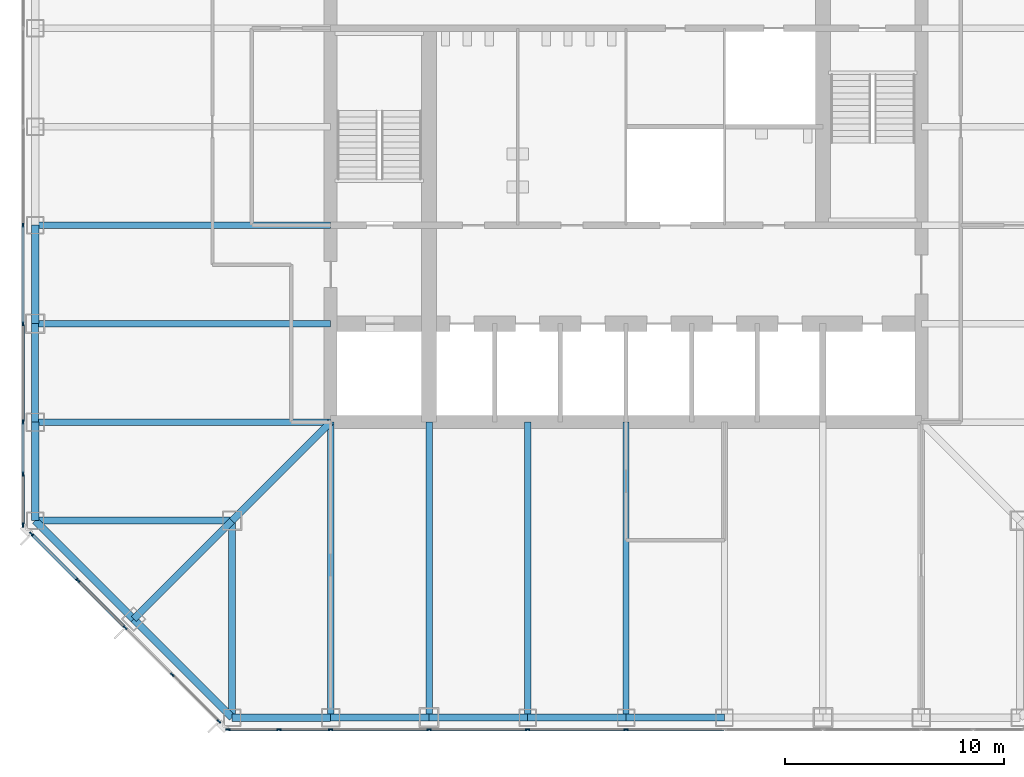
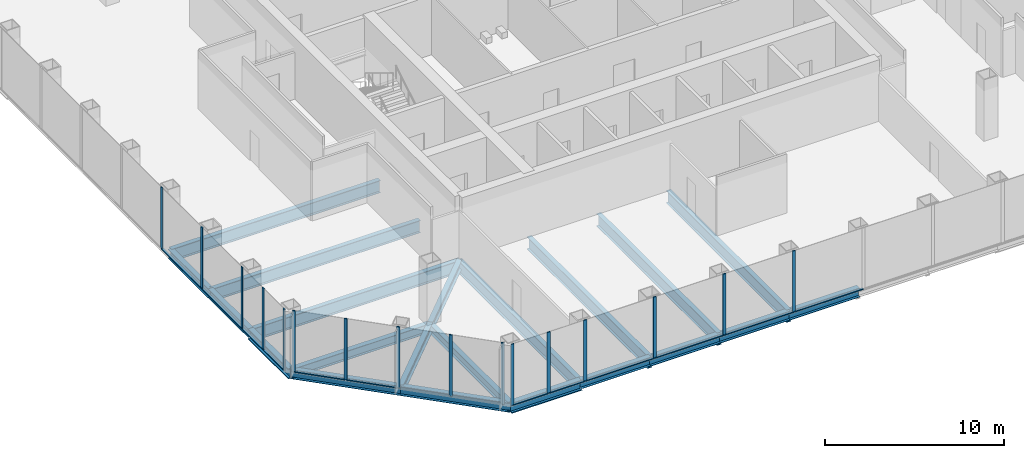
# One storey, part 2 of 12: 28 members, 21 beams, 3 elements without a shape of their own.
"""IFC4 building model written with IfcOpenShell, lengths in metres."""

from ifc_helpers import new_model, si_unit, direction, frame, origin, origin_2d, place, context, subcontext, project, spatial, rectangle, i_section, extrude, material, material_profile, profile_set, type_object, element, aggregate, save


model = new_model("IFC4")

# Units and contexts
model_context = context("Model", 3, precision=1e-05, world=origin(), true_north=direction((0.0, 1.0)))
body_context = subcontext(model_context, "Body", "Model", "MODEL_VIEW")
ifc_project = project(units=[si_unit("LENGTHUNIT", "METRE"), si_unit("AREAUNIT", "SQUARE_METRE"), si_unit("VOLUMEUNIT", "CUBIC_METRE"), si_unit("PLANEANGLEUNIT", "RADIAN"), si_unit("MASSUNIT", "GRAM", prefix="KILO")], contexts=[model_context])

# Site, building, storey
site_placement = place(None, origin())
site = spatial("IfcSite", under=ifc_project, at=site_placement, CompositionType="ELEMENT")
building_placement = place(site_placement, origin())
building = spatial("IfcBuilding", under=site, at=building_placement, Name="Corais Broadcast Tower", CompositionType="ELEMENT")
storey_placement = place(building_placement, frame((0.0, 0.0, 75.199951171875)))
storey = spatial("IfcBuildingStorey", under=building, at=storey_placement, Name="L16", CompositionType="ELEMENT", Elevation=75.199951171875)

# Beams
ifc_material_1 = material(Name="Steel ASTM A572 Grade 50", Category="steel")
ifc_material_profile_1 = material_profile(ifc_material_1, i_section(OverallWidth=0.323974609375, OverallDepth=0.611083984375, WebThickness=0.0126953125, FlangeThickness=0.01904296875, at=origin_2d()), Name="W610x155")
ifc_profile_set_1 = profile_set([ifc_material_profile_1], Name="Steel ASTM A572 Grade 50")
beam_type_1 = type_object("IfcBeamType", Name="Chamfer tie W610x155", PredefinedType="BEAM", material=ifc_profile_set_1)
beam_1_placement = place(storey_placement, frame((4.5, 4.5, -0.46533203125), z_axis=(0.707106781187, 0.707106781187, 0.0), x_axis=(-0.707106781187, 0.707106781187, 0.0)))
element("IfcBeam", 1, at=beam_1_placement, inside=storey, type_object=beam_type_1, Name="B5 B/4 to C/5", PredefinedType="BEAM", context=body_context, shape_type="SweptSolid", body=[
    extrude(i_section(OverallWidth=0.323974609375, OverallDepth=0.611083984375, WebThickness=0.0126953125, FlangeThickness=0.01904296875, at=origin_2d()), origin(), (0.0, 0.0, 1.0), 6.364013671875),
])
ifc_material_2 = material(Name="Steel ASTM A572 Grade 50", Category="steel")
ifc_material_profile_2 = material_profile(ifc_material_2, i_section(OverallWidth=0.323974609375, OverallDepth=0.611083984375, WebThickness=0.0126953125, FlangeThickness=0.01904296875, at=origin_2d()), Name="W610x155")
ifc_profile_set_2 = profile_set([ifc_material_profile_2], Name="Steel ASTM A572 Grade 50")
beam_type_2 = type_object("IfcBeamType", Name="Corner diagonal W610x155", PredefinedType="BEAM", material=ifc_profile_set_2)
beam_2_placement = place(storey_placement, frame((9.0, 9.0, -0.46533203125), z_axis=(0.707106781187, 0.707106781187, 0.0), x_axis=(-0.707106781187, 0.707106781187, 0.0)))
element("IfcBeam", 2, at=beam_2_placement, inside=storey, type_object=beam_type_2, Name="B6 C/5 to D/6", PredefinedType="BEAM", context=body_context, shape_type="SweptSolid", body=[
    extrude(i_section(OverallWidth=0.323974609375, OverallDepth=0.611083984375, WebThickness=0.0126953125, FlangeThickness=0.01904296875, at=origin_2d()), origin(), (0.0, 0.0, 1.0), 6.364013671875),
])
ifc_material_3 = material(Name="Steel ASTM A572 Grade 50", Category="steel")
ifc_material_profile_3 = material_profile(ifc_material_3, i_section(OverallWidth=0.323974609375, OverallDepth=0.611083984375, WebThickness=0.0126953125, FlangeThickness=0.01904296875, at=origin_2d()), Name="W610x155")
ifc_profile_set_3 = profile_set([ifc_material_profile_3], Name="Steel ASTM A572 Grade 50")
beam_type_3 = type_object("IfcBeamType", Name="Corner girder W610x155", PredefinedType="BEAM", material=ifc_profile_set_3)
for number, where, z_axis, x_axis, name in (
    (3, (0.0, 9.0, -0.46533203125), (1.0, 0.0, 0.0), (0.0, 1.0, 0.0), "B4 C/3 to C/5"),
    (4, (9.0, 0.0, -0.46533203125), (0.0, 1.0, 0.0), (-1.0, 0.0, 0.0), "B4 A/5 to C/5"),
):
    element("IfcBeam", number, at=place(storey_placement, frame(where, z_axis=z_axis, x_axis=x_axis)), inside=storey, type_object=beam_type_3, Name=name, PredefinedType="BEAM", context=body_context, shape_type="SweptSolid", body=[
        extrude(i_section(OverallWidth=0.323974609375, OverallDepth=0.611083984375, WebThickness=0.0126953125, FlangeThickness=0.01904296875, at=origin_2d()), origin(), (0.0, 0.0, 1.0), 9.0),
    ])
ifc_material_4 = material(Name="Steel ASTM A913 Grade 65", Category="steel")
ifc_material_profile_4 = material_profile(ifc_material_4, i_section(OverallWidth=0.347900390625, OverallDepth=0.7109375, WebThickness=0.03857421875, FlangeThickness=0.069091796875, at=origin_2d()), Name="W610x551")
ifc_profile_set_4 = profile_set([ifc_material_profile_4], Name="Steel ASTM A913 Grade 65")
beam_type_4 = type_object("IfcBeamType", Name="Corner spandrel W610x551", PredefinedType="BEAM", material=ifc_profile_set_4)
for number, where, z_axis, x_axis, name in (
    (5, (0.0, 13.5, -0.515380859375), (0.0, -1.0, 0.0), (1.0, 0.0, 0.0), "SB11 D/3 to C/3"),
    (6, (9.0, 0.0, -0.515380859375), (1.0, 0.0, 0.0), (0.0, 1.0, 0.0), "SB11 A/5 to A/6"),
):
    element("IfcBeam", number, at=place(storey_placement, frame(where, z_axis=z_axis, x_axis=x_axis)), inside=storey, type_object=beam_type_4, Name=name, PredefinedType="BEAM", context=body_context, shape_type="SweptSolid", body=[
        extrude(i_section(OverallWidth=0.347900390625, OverallDepth=0.7109375, WebThickness=0.03857421875, FlangeThickness=0.069091796875, at=origin_2d()), origin(), (0.0, 0.0, 1.0), 4.5),
    ])
ifc_material_5 = material(Name="Steel ASTM A572 Grade 50", Category="steel")
ifc_material_profile_5 = material_profile(ifc_material_5, i_section(OverallWidth=0.2939453125, OverallDepth=0.85107421875, WebThickness=0.01611328125, FlangeThickness=0.02685546875, at=origin_2d()), Name="W840x226")
ifc_profile_set_5 = profile_set([ifc_material_profile_5], Name="Steel ASTM A572 Grade 50")
beam_type_5 = type_object("IfcBeamType", Name="Floor beam W840x226", PredefinedType="BEAM", material=ifc_profile_set_5)
for number, where, z_axis, x_axis, name in (
    (7, (0.0, 13.5, -0.58544921875), (1.0, 0.0, 0.0), (0.0, 1.0, 0.0), "B1 D/3 to D/6"),
    (8, (0.0, 18.0, -0.58544921875), (1.0, 0.0, 0.0), (0.0, 1.0, 0.0), "B1 E/3 to E/6"),
    (9, (0.0, 22.5, -0.58544921875), (1.0, 0.0, 0.0), (0.0, 1.0, 0.0), "B1 F/3 to F/6"),
    (10, (13.5, 0.0, -0.58544921875), (0.0, 1.0, 0.0), (-1.0, 0.0, 0.0), "B1 A/6 to D/6"),
    (11, (18.0, 0.0, -0.58544921875), (0.0, 1.0, 0.0), (-1.0, 0.0, 0.0), "B1 A/7 to D/7"),
    (12, (22.5, 0.0, -0.58544921875), (0.0, 1.0, 0.0), (-1.0, 0.0, 0.0), "B1 A/8 to D/8"),
    (13, (27.0, 0.0, -0.58544921875), (0.0, 1.0, 0.0), (-1.0, 0.0, 0.0), "B1 A/9 to D/9"),
):
    element("IfcBeam", number, at=place(storey_placement, frame(where, z_axis=z_axis, x_axis=x_axis)), inside=storey, type_object=beam_type_5, Name=name, PredefinedType="BEAM", context=body_context, shape_type="SweptSolid", body=[
        extrude(i_section(OverallWidth=0.2939453125, OverallDepth=0.85107421875, WebThickness=0.01611328125, FlangeThickness=0.02685546875, at=origin_2d()), origin(), (0.0, 0.0, 1.0), 13.5),
    ])

# Curtain wall, members
ifc_material_6 = material(Name="Aluminium and glass", Category="aluminium")
curtain_wall_type = type_object("IfcCurtainWallType", Name="Unitised fritted curtain wall CW1", PredefinedType="NOTDEFINED", material=ifc_material_6)
curtain_wall_1_placement = place(storey_placement, origin())
curtain_wall_1 = element("IfcCurtainWall", 14, at=curtain_wall_1_placement, inside=storey, type_object=curtain_wall_type, Name="CW1 curtain wall L16 1", PredefinedType="NOTDEFINED")
ifc_material_7 = material(Name="Aluminium 6063-T6", Category="aluminium")
ifc_material_profile_6 = material_profile(ifc_material_7, rectangle(XDim=0.06494140625, YDim=0.199951171875, at=origin_2d()), Name="Mullion CW1 65x200")
ifc_profile_set_6 = profile_set([ifc_material_profile_6], Name="Aluminium 6063-T6")
member_type_1 = type_object("IfcMemberType", Name="Mullion CW1 65x200", PredefinedType="MULLION", material=ifc_profile_set_6)
member_1_placement = place(storey_placement, frame((8.3955078125, -0.17333984375, 0.0), z_axis=(0.0, 0.0, 1.0), x_axis=(-0.707106781187, -0.707106781187, 0.0)))
member_1 = element("IfcMember", 15, at=member_1_placement, type_object=member_type_1, Name="CW1 mullion 1", PredefinedType="MULLION", context=body_context, shape_type="SweptSolid", body=[
    extrude(rectangle(XDim=0.06494140625, YDim=0.199951171875, at=origin_2d()), origin(), (0.0, 0.0, 1.0), 4.199951171875),
])
member_2_placement = place(storey_placement, frame((6.264892578125, 1.957275390625, 0.0), z_axis=(0.0, 0.0, 1.0), x_axis=(-0.707106781187, -0.707106781187, 0.0)))
member_2 = element("IfcMember", 16, at=member_2_placement, type_object=member_type_1, Name="CW1 mullion 2", PredefinedType="MULLION", context=body_context, shape_type="SweptSolid", body=[
    extrude(rectangle(XDim=0.06494140625, YDim=0.199951171875, at=origin_2d()), origin(), (0.0, 0.0, 1.0), 4.199951171875),
])
member_3_placement = place(storey_placement, frame((4.111083984375, 4.111083984375, 0.0), z_axis=(0.0, 0.0, 1.0), x_axis=(-0.707106781187, -0.707106781187, 0.0)))
member_3 = element("IfcMember", 17, at=member_3_placement, type_object=member_type_1, Name="CW1 mullion 3", PredefinedType="MULLION", context=body_context, shape_type="SweptSolid", body=[
    extrude(rectangle(XDim=0.06494140625, YDim=0.199951171875, at=origin_2d()), origin(), (0.0, 0.0, 1.0), 4.199951171875),
])
member_4_placement = place(storey_placement, frame((1.957275390625, 6.264892578125, 0.0), z_axis=(0.0, 0.0, 1.0), x_axis=(-0.707106781187, -0.707106781187, 0.0)))
member_4 = element("IfcMember", 18, at=member_4_placement, type_object=member_type_1, Name="CW1 mullion 4", PredefinedType="MULLION", context=body_context, shape_type="SweptSolid", body=[
    extrude(rectangle(XDim=0.06494140625, YDim=0.199951171875, at=origin_2d()), origin(), (0.0, 0.0, 1.0), 4.199951171875),
])
member_5_placement = place(storey_placement, frame((-0.17333984375, 8.3955078125, 0.0), z_axis=(0.0, 0.0, 1.0), x_axis=(-0.707106781187, -0.707106781187, 0.0)))
member_5 = element("IfcMember", 19, at=member_5_placement, type_object=member_type_1, Name="CW1 mullion 5", PredefinedType="MULLION", context=body_context, shape_type="SweptSolid", body=[
    extrude(rectangle(XDim=0.06494140625, YDim=0.199951171875, at=origin_2d()), origin(), (0.0, 0.0, 1.0), 4.199951171875),
])

curtain_wall_2_placement = place(storey_placement, origin())
curtain_wall_2 = element("IfcCurtainWall", 20, at=curtain_wall_2_placement, inside=storey, type_object=curtain_wall_type, Name="CW1 curtain wall L16 2", PredefinedType="NOTDEFINED")
member_6_placement = place(storey_placement, frame((-0.550048828125, 8.8046875, 0.0), z_axis=(0.0, 0.0, 1.0), x_axis=(-1.0, 0.0, 0.0)))
member_6 = element("IfcMember", 21, at=member_6_placement, type_object=member_type_1, Name="CW1 mullion 1", PredefinedType="MULLION", context=body_context, shape_type="SweptSolid", body=[
    extrude(rectangle(XDim=0.06494140625, YDim=0.199951171875, at=origin_2d()), origin(), (0.0, 0.0, 1.0), 4.199951171875),
])
member_7_placement = place(storey_placement, frame((-0.550048828125, 11.135986328125, 0.0), z_axis=(0.0, 0.0, 1.0), x_axis=(-1.0, 0.0, 0.0)))
member_7 = element("IfcMember", 22, at=member_7_placement, type_object=member_type_1, Name="CW1 mullion 2", PredefinedType="MULLION", context=body_context, shape_type="SweptSolid", body=[
    extrude(rectangle(XDim=0.06494140625, YDim=0.199951171875, at=origin_2d()), origin(), (0.0, 0.0, 1.0), 4.199951171875),
])
member_8_placement = place(storey_placement, frame((-0.550048828125, 13.5, 0.0), z_axis=(0.0, 0.0, 1.0), x_axis=(-1.0, 0.0, 0.0)))
member_8 = element("IfcMember", 23, at=member_8_placement, type_object=member_type_1, Name="CW1 mullion 3", PredefinedType="MULLION", context=body_context, shape_type="SweptSolid", body=[
    extrude(rectangle(XDim=0.06494140625, YDim=0.199951171875, at=origin_2d()), origin(), (0.0, 0.0, 1.0), 4.199951171875),
])
member_9_placement = place(storey_placement, frame((-0.550048828125, 18.0, 0.0), z_axis=(0.0, 0.0, 1.0), x_axis=(-1.0, 0.0, 0.0)))
member_9 = element("IfcMember", 24, at=member_9_placement, type_object=member_type_1, Name="CW1 mullion 4", PredefinedType="MULLION", context=body_context, shape_type="SweptSolid", body=[
    extrude(rectangle(XDim=0.06494140625, YDim=0.199951171875, at=origin_2d()), origin(), (0.0, 0.0, 1.0), 4.199951171875),
])
member_10_placement = place(storey_placement, frame((-0.550048828125, 22.5, 0.0), z_axis=(0.0, 0.0, 1.0), x_axis=(-1.0, 0.0, 0.0)))
member_10 = element("IfcMember", 25, at=member_10_placement, type_object=member_type_1, Name="CW1 mullion 5", PredefinedType="MULLION", context=body_context, shape_type="SweptSolid", body=[
    extrude(rectangle(XDim=0.06494140625, YDim=0.199951171875, at=origin_2d()), origin(), (0.0, 0.0, 1.0), 4.199951171875),
])

curtain_wall_3_placement = place(storey_placement, origin())
curtain_wall_3 = element("IfcCurtainWall", 26, at=curtain_wall_3_placement, inside=storey, type_object=curtain_wall_type, Name="CW1 curtain wall L16 8", PredefinedType="NOTDEFINED")
member_11_placement = place(storey_placement, frame((27.0, -0.550048828125, 0.0), z_axis=(0.0, 0.0, 1.0), x_axis=(0.0, -1.0, 0.0)))
member_11 = element("IfcMember", 27, at=member_11_placement, type_object=member_type_1, Name="CW1 mullion 6", PredefinedType="MULLION", context=body_context, shape_type="SweptSolid", body=[
    extrude(rectangle(XDim=0.06494140625, YDim=0.199951171875, at=origin_2d()), origin(), (0.0, 0.0, 1.0), 4.199951171875),
])
member_12_placement = place(storey_placement, frame((22.5, -0.550048828125, 0.0), z_axis=(0.0, 0.0, 1.0), x_axis=(0.0, -1.0, 0.0)))
member_12 = element("IfcMember", 28, at=member_12_placement, type_object=member_type_1, Name="CW1 mullion 7", PredefinedType="MULLION", context=body_context, shape_type="SweptSolid", body=[
    extrude(rectangle(XDim=0.06494140625, YDim=0.199951171875, at=origin_2d()), origin(), (0.0, 0.0, 1.0), 4.199951171875),
])
member_13_placement = place(storey_placement, frame((18.0, -0.550048828125, 0.0), z_axis=(0.0, 0.0, 1.0), x_axis=(0.0, -1.0, 0.0)))
member_13 = element("IfcMember", 29, at=member_13_placement, type_object=member_type_1, Name="CW1 mullion 8", PredefinedType="MULLION", context=body_context, shape_type="SweptSolid", body=[
    extrude(rectangle(XDim=0.06494140625, YDim=0.199951171875, at=origin_2d()), origin(), (0.0, 0.0, 1.0), 4.199951171875),
])
member_14_placement = place(storey_placement, frame((13.5, -0.550048828125, 0.0), z_axis=(0.0, 0.0, 1.0), x_axis=(0.0, -1.0, 0.0)))
member_14 = element("IfcMember", 30, at=member_14_placement, type_object=member_type_1, Name="CW1 mullion 9", PredefinedType="MULLION", context=body_context, shape_type="SweptSolid", body=[
    extrude(rectangle(XDim=0.06494140625, YDim=0.199951171875, at=origin_2d()), origin(), (0.0, 0.0, 1.0), 4.199951171875),
])
member_15_placement = place(storey_placement, frame((11.135986328125, -0.550048828125, 0.0), z_axis=(0.0, 0.0, 1.0), x_axis=(0.0, -1.0, 0.0)))
member_15 = element("IfcMember", 31, at=member_15_placement, type_object=member_type_1, Name="CW1 mullion 10", PredefinedType="MULLION", context=body_context, shape_type="SweptSolid", body=[
    extrude(rectangle(XDim=0.06494140625, YDim=0.199951171875, at=origin_2d()), origin(), (0.0, 0.0, 1.0), 4.199951171875),
])
member_16_placement = place(storey_placement, frame((8.8046875, -0.550048828125, 0.0), z_axis=(0.0, 0.0, 1.0), x_axis=(0.0, -1.0, 0.0)))
member_16 = element("IfcMember", 32, at=member_16_placement, type_object=member_type_1, Name="CW1 mullion 11", PredefinedType="MULLION", context=body_context, shape_type="SweptSolid", body=[
    extrude(rectangle(XDim=0.06494140625, YDim=0.199951171875, at=origin_2d()), origin(), (0.0, 0.0, 1.0), 4.199951171875),
])

# Beams
ifc_material_8 = material(Name="Steel ASTM A572 Grade 50", Category="steel")
ifc_material_profile_7 = material_profile(ifc_material_8, i_section(OverallWidth=0.323974609375, OverallDepth=0.611083984375, WebThickness=0.0126953125, FlangeThickness=0.01904296875, at=origin_2d()), Name="W610x155")
ifc_profile_set_7 = profile_set([ifc_material_profile_7], Name="Steel ASTM A572 Grade 50")
beam_type_6 = type_object("IfcBeamType", Name="Pinned spandrel W610x155", PredefinedType="BEAM", material=ifc_profile_set_7)
for number, where, z_axis, x_axis, name in (
    (33, (0.0, 18.0, -0.46533203125), (0.0, -1.0, 0.0), (1.0, 0.0, 0.0), "SB6 E/3 to D/3"),
    (34, (13.5, 0.0, -0.46533203125), (1.0, 0.0, 0.0), (0.0, 1.0, 0.0), "SB6 A/6 to A/7"),
):
    element("IfcBeam", number, at=place(storey_placement, frame(where, z_axis=z_axis, x_axis=x_axis)), inside=storey, type_object=beam_type_6, Name=name, PredefinedType="BEAM", context=body_context, shape_type="SweptSolid", body=[
        extrude(i_section(OverallWidth=0.323974609375, OverallDepth=0.611083984375, WebThickness=0.0126953125, FlangeThickness=0.01904296875, at=origin_2d()), origin(), (0.0, 0.0, 1.0), 4.5),
    ])
ifc_material_9 = material(Name="Steel ASTM A572 Grade 50", Category="steel")
ifc_material_profile_8 = material_profile(ifc_material_9, i_section(OverallWidth=0.3291015625, OverallDepth=0.635009765625, WebThickness=0.017822265625, FlangeThickness=0.031005859375, at=origin_2d()), Name="W610x241")
ifc_profile_set_8 = profile_set([ifc_material_profile_8], Name="Steel ASTM A572 Grade 50")
beam_type_7 = type_object("IfcBeamType", Name="Spandrel W610x241", PredefinedType="BEAM", material=ifc_profile_set_8)
beam_3_placement = place(storey_placement, frame((0.0, 22.5, -0.4775390625), z_axis=(0.0, -1.0, 0.0), x_axis=(1.0, 0.0, 0.0)))
element("IfcBeam", 35, at=beam_3_placement, inside=storey, type_object=beam_type_7, Name="SB1 F/3 to E/3", PredefinedType="BEAM", context=body_context, shape_type="SweptSolid", body=[
    extrude(i_section(OverallWidth=0.3291015625, OverallDepth=0.635009765625, WebThickness=0.017822265625, FlangeThickness=0.031005859375, at=origin_2d()), origin(), (0.0, 0.0, 1.0), 4.5),
])
beam_4_placement = place(storey_placement, frame((0.0, 9.0, -0.4775390625), z_axis=(0.707106781187, -0.707106781187, 0.0), x_axis=(0.707106781187, 0.707106781187, 0.0)))
element("IfcBeam", 36, at=beam_4_placement, inside=storey, type_object=beam_type_7, Name="SB1 C/3 to B/4", PredefinedType="BEAM", context=body_context, shape_type="SweptSolid", body=[
    extrude(i_section(OverallWidth=0.3291015625, OverallDepth=0.635009765625, WebThickness=0.017822265625, FlangeThickness=0.031005859375, at=origin_2d()), origin(), (0.0, 0.0, 1.0), 6.364013671875),
])
for number, where, z_axis, x_axis, name in (
    (37, (18.0, 0.0, -0.4775390625), (1.0, 0.0, 0.0), (0.0, 1.0, 0.0), "SB1 A/7 to A/8"),
    (38, (22.5, 0.0, -0.4775390625), (1.0, 0.0, 0.0), (0.0, 1.0, 0.0), "SB1 A/8 to A/9"),
    (39, (27.0, 0.0, -0.4775390625), (1.0, 0.0, 0.0), (0.0, 1.0, 0.0), "SB1 A/9 to A/10"),
):
    element("IfcBeam", number, at=place(storey_placement, frame(where, z_axis=z_axis, x_axis=x_axis)), inside=storey, type_object=beam_type_7, Name=name, PredefinedType="BEAM", context=body_context, shape_type="SweptSolid", body=[
        extrude(i_section(OverallWidth=0.3291015625, OverallDepth=0.635009765625, WebThickness=0.017822265625, FlangeThickness=0.031005859375, at=origin_2d()), origin(), (0.0, 0.0, 1.0), 4.5),
    ])
beam_5_placement = place(storey_placement, frame((4.5, 4.5, -0.4775390625), z_axis=(0.707106781187, -0.707106781187, 0.0), x_axis=(0.707106781187, 0.707106781187, 0.0)))
element("IfcBeam", 40, at=beam_5_placement, inside=storey, type_object=beam_type_7, Name="SB1 B/4 to A/5", PredefinedType="BEAM", context=body_context, shape_type="SweptSolid", body=[
    extrude(i_section(OverallWidth=0.3291015625, OverallDepth=0.635009765625, WebThickness=0.017822265625, FlangeThickness=0.031005859375, at=origin_2d()), origin(), (0.0, 0.0, 1.0), 6.364013671875),
])

# Member
ifc_material_10 = material(Name="Aluminium 6063-T6", Category="aluminium")
ifc_material_profile_9 = material_profile(ifc_material_10, rectangle(XDim=0.139892578125, YDim=0.06494140625, at=origin_2d()), Name="Transom CW1 65x140")
ifc_profile_set_9 = profile_set([ifc_material_profile_9], Name="Aluminium 6063-T6")
member_type_2 = type_object("IfcMemberType", Name="Transom CW1 65x140", PredefinedType="USERDEFINED", material=ifc_profile_set_9)
member_17_placement = place(storey_placement, frame((4.088134765625, 4.134033203125, 0.032470703125), z_axis=(-0.707106781187, 0.707106781187, 0.0), x_axis=(-0.707106781187, -0.707106781187, 0.0)))
member_17 = element("IfcMember", 41, at=member_17_placement, type_object=member_type_2, Name="CW1 transom 3.1", ObjectType="TRANSOM", PredefinedType="USERDEFINED", context=body_context, shape_type="SweptSolid", body=[
    extrude(rectangle(XDim=0.139892578125, YDim=0.06494140625, at=origin_2d()), origin(), (0.0, 0.0, 1.0), 2.98095703125),
])

member_18_placement = place(storey_placement, frame((1.934326171875, 6.287841796875, 0.032470703125), z_axis=(-0.707106781187, 0.707106781187, 0.0), x_axis=(-0.707106781187, -0.707106781187, 0.0)))
member_18 = element("IfcMember", 42, at=member_18_placement, type_object=member_type_2, Name="CW1 transom 4.1", ObjectType="TRANSOM", PredefinedType="USERDEFINED", context=body_context, shape_type="SweptSolid", body=[
    extrude(rectangle(XDim=0.139892578125, YDim=0.06494140625, at=origin_2d()), origin(), (0.0, 0.0, 1.0), 2.9482421875),
])

aggregate(curtain_wall_1, [member_1, member_2, member_3, member_4, member_5, member_17, member_18])

member_19_placement = place(storey_placement, frame((-0.550048828125, 8.837158203125, 0.032470703125), z_axis=(0.0, 1.0, 0.0), x_axis=(-1.0, 0.0, 0.0)))
member_19 = element("IfcMember", 43, at=member_19_placement, type_object=member_type_2, Name="CW1 transom 1.1", ObjectType="TRANSOM", PredefinedType="USERDEFINED", context=body_context, shape_type="SweptSolid", body=[
    extrude(rectangle(XDim=0.139892578125, YDim=0.06494140625, at=origin_2d()), origin(), (0.0, 0.0, 1.0), 2.266357421875),
])

member_20_placement = place(storey_placement, frame((-0.550048828125, 11.168701171875, 0.032470703125), z_axis=(0.0, 1.0, 0.0), x_axis=(-1.0, 0.0, 0.0)))
member_20 = element("IfcMember", 44, at=member_20_placement, type_object=member_type_2, Name="CW1 transom 2.1", ObjectType="TRANSOM", PredefinedType="USERDEFINED", context=body_context, shape_type="SweptSolid", body=[
    extrude(rectangle(XDim=0.139892578125, YDim=0.06494140625, at=origin_2d()), origin(), (0.0, 0.0, 1.0), 2.298828125),
])

member_21_placement = place(storey_placement, frame((-0.550048828125, 13.532470703125, 0.032470703125), z_axis=(0.0, 1.0, 0.0), x_axis=(-1.0, 0.0, 0.0)))
member_21 = element("IfcMember", 45, at=member_21_placement, type_object=member_type_2, Name="CW1 transom 3.1", ObjectType="TRANSOM", PredefinedType="USERDEFINED", context=body_context, shape_type="SweptSolid", body=[
    extrude(rectangle(XDim=0.139892578125, YDim=0.06494140625, at=origin_2d()), origin(), (0.0, 0.0, 1.0), 4.43505859375),
])

member_22_placement = place(storey_placement, frame((-0.550048828125, 18.032470703125, 0.032470703125), z_axis=(0.0, 1.0, 0.0), x_axis=(-1.0, 0.0, 0.0)))
member_22 = element("IfcMember", 46, at=member_22_placement, type_object=member_type_2, Name="CW1 transom 4.1", ObjectType="TRANSOM", PredefinedType="USERDEFINED", context=body_context, shape_type="SweptSolid", body=[
    extrude(rectangle(XDim=0.139892578125, YDim=0.06494140625, at=origin_2d()), origin(), (0.0, 0.0, 1.0), 4.43505859375),
])

aggregate(curtain_wall_2, [member_6, member_7, member_8, member_9, member_10, member_19, member_20, member_21, member_22])

member_23_placement = place(storey_placement, frame((31.467529296875, -0.550048828125, 0.032470703125), z_axis=(-1.0, 0.0, 0.0), x_axis=(0.0, -1.0, 0.0)))
member_23 = element("IfcMember", 47, at=member_23_placement, type_object=member_type_2, Name="CW1 transom 5.1", ObjectType="TRANSOM", PredefinedType="USERDEFINED", context=body_context, shape_type="SweptSolid", body=[
    extrude(rectangle(XDim=0.139892578125, YDim=0.06494140625, at=origin_2d()), origin(), (0.0, 0.0, 1.0), 4.43505859375),
])

member_24_placement = place(storey_placement, frame((26.967529296875, -0.550048828125, 0.032470703125), z_axis=(-1.0, 0.0, 0.0), x_axis=(0.0, -1.0, 0.0)))
member_24 = element("IfcMember", 48, at=member_24_placement, type_object=member_type_2, Name="CW1 transom 6.1", ObjectType="TRANSOM", PredefinedType="USERDEFINED", context=body_context, shape_type="SweptSolid", body=[
    extrude(rectangle(XDim=0.139892578125, YDim=0.06494140625, at=origin_2d()), origin(), (0.0, 0.0, 1.0), 4.43505859375),
])

member_25_placement = place(storey_placement, frame((22.467529296875, -0.550048828125, 0.032470703125), z_axis=(-1.0, 0.0, 0.0), x_axis=(0.0, -1.0, 0.0)))
member_25 = element("IfcMember", 49, at=member_25_placement, type_object=member_type_2, Name="CW1 transom 7.1", ObjectType="TRANSOM", PredefinedType="USERDEFINED", context=body_context, shape_type="SweptSolid", body=[
    extrude(rectangle(XDim=0.139892578125, YDim=0.06494140625, at=origin_2d()), origin(), (0.0, 0.0, 1.0), 4.43505859375),
])

member_26_placement = place(storey_placement, frame((17.967529296875, -0.550048828125, 0.032470703125), z_axis=(-1.0, 0.0, 0.0), x_axis=(0.0, -1.0, 0.0)))
member_26 = element("IfcMember", 50, at=member_26_placement, type_object=member_type_2, Name="CW1 transom 8.1", ObjectType="TRANSOM", PredefinedType="USERDEFINED", context=body_context, shape_type="SweptSolid", body=[
    extrude(rectangle(XDim=0.139892578125, YDim=0.06494140625, at=origin_2d()), origin(), (0.0, 0.0, 1.0), 4.43505859375),
])

member_27_placement = place(storey_placement, frame((13.467529296875, -0.550048828125, 0.032470703125), z_axis=(-1.0, 0.0, 0.0), x_axis=(0.0, -1.0, 0.0)))
member_27 = element("IfcMember", 51, at=member_27_placement, type_object=member_type_2, Name="CW1 transom 9.1", ObjectType="TRANSOM", PredefinedType="USERDEFINED", context=body_context, shape_type="SweptSolid", body=[
    extrude(rectangle(XDim=0.139892578125, YDim=0.06494140625, at=origin_2d()), origin(), (0.0, 0.0, 1.0), 2.298828125),
])

member_28_placement = place(storey_placement, frame((11.103515625, -0.550048828125, 0.032470703125), z_axis=(-1.0, 0.0, 0.0), x_axis=(0.0, -1.0, 0.0)))
member_28 = element("IfcMember", 52, at=member_28_placement, type_object=member_type_2, Name="CW1 transom 10.1", ObjectType="TRANSOM", PredefinedType="USERDEFINED", context=body_context, shape_type="SweptSolid", body=[
    extrude(rectangle(XDim=0.139892578125, YDim=0.06494140625, at=origin_2d()), origin(), (0.0, 0.0, 1.0), 2.266357421875),
])

aggregate(curtain_wall_3, [member_11, member_12, member_13, member_14, member_15, member_16, member_23, member_24, member_25, member_26, member_27, member_28])

save(model, "model.ifc")
